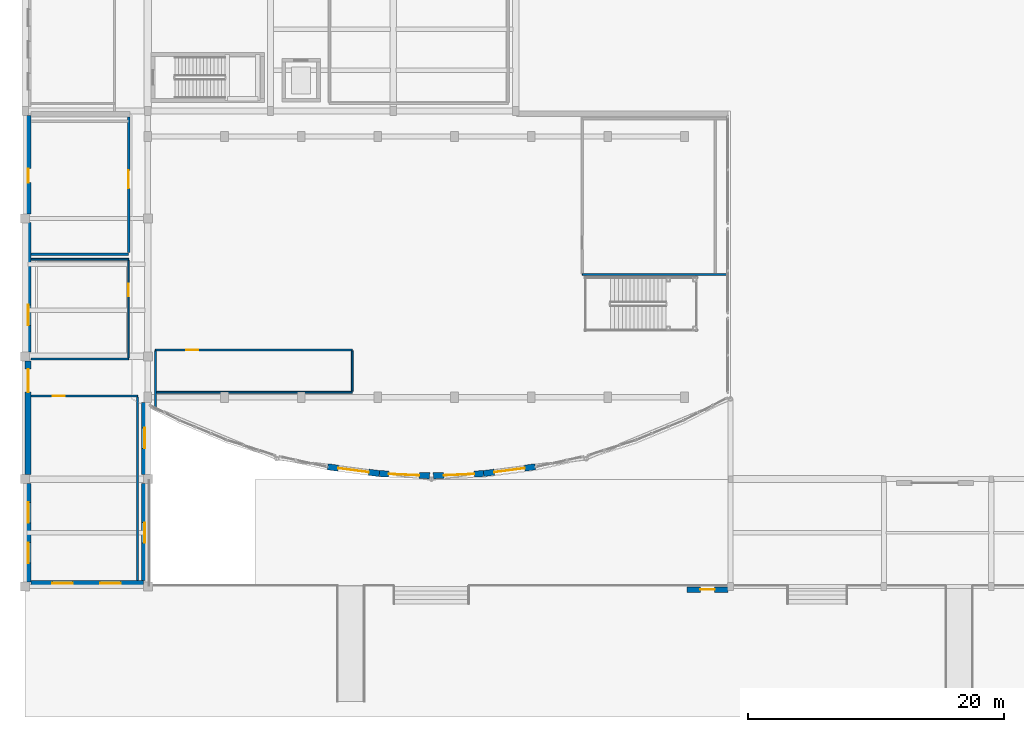
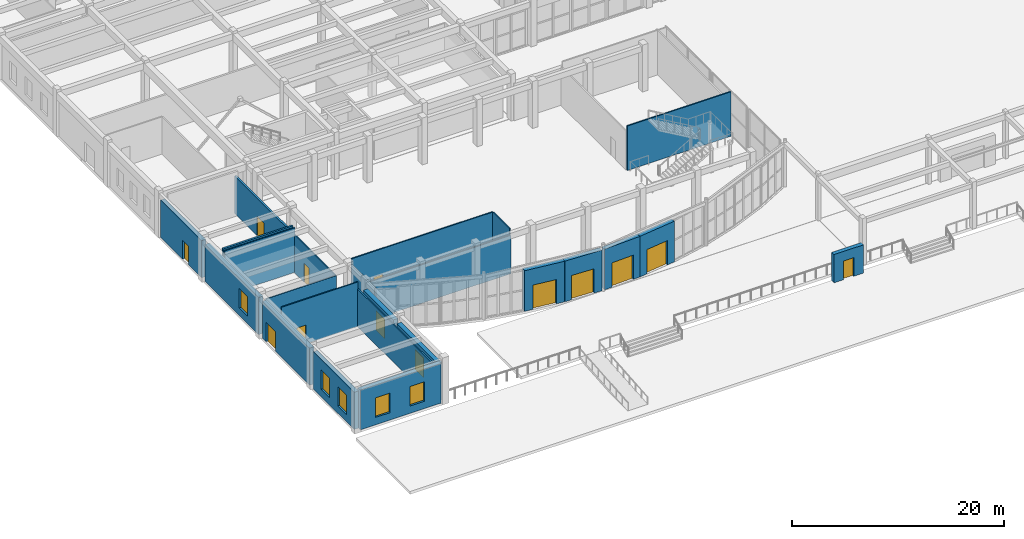
# One storey, part 66 of 98: 24 walls, 11 doors, 7 windows, 18 openings.
"""IFC4 building model written with IfcOpenShell, lengths in metres."""

from ifc_helpers import new_model, si_unit, direction, frame, frame_2d, origin, place, context, subcontext, project, spatial, rectangle, extrude, material, layer, layer_set, type_object, element, fill, save


model = new_model("IFC4")

# Units and contexts
model_context = context("Model", 3, precision=1e-05, world=origin(), true_north=direction((0.0, 1.0)))
body_context = subcontext(model_context, "Body", "Model", "MODEL_VIEW")
ifc_project = project(units=[si_unit("LENGTHUNIT", "METRE"), si_unit("AREAUNIT", "SQUARE_METRE"), si_unit("VOLUMEUNIT", "CUBIC_METRE"), si_unit("PLANEANGLEUNIT", "RADIAN"), si_unit("MASSUNIT", "GRAM", prefix="KILO")], contexts=[model_context])

# Site, building, storey
site_placement = place(None, origin())
site = spatial("IfcSite", under=ifc_project, at=site_placement, CompositionType="ELEMENT")
building_placement = place(site_placement, origin())
building = spatial("IfcBuilding", under=site, at=building_placement, Name="Tarnavel Promenade Courthouse", CompositionType="ELEMENT")
storey_placement = place(building_placement, origin())
storey = spatial("IfcBuildingStorey", under=building, at=storey_placement, Name="L01", CompositionType="ELEMENT", Elevation=0.0)

# Wall
ifc_material_1 = material(Name="Concrete Masonry Fire Compartment Wall", Category="masonry")
ifc_layer_1 = layer(ifc_material_1, 0.205078125)
ifc_layer_set_1 = layer_set([ifc_layer_1], Name="Concrete Masonry Fire Compartment Wall")
wall_type_1 = type_object("IfcWallType", Name="Concrete Masonry Fire Compartment Wall WL-CMP-205 (205 mm)", PredefinedType="STANDARD", material=ifc_layer_set_1)
wall_1_placement = place(storey_placement, frame((8.10009765625, 26.0, 0.0), z_axis=(0.0, 0.0, 1.0), x_axis=(-1.0, 0.0, 0.0)))
element("IfcWall", 1, at=wall_1_placement, inside=storey, type_object=wall_type_1, Name="L01 Fire Command Centre Partition 0149", PredefinedType="STANDARD", context=body_context, shape_type="SweptSolid", body=[
    extrude(rectangle(XDim=7.6259765625, YDim=0.205078125, at=frame_2d((3.81298828125, 0.0))), origin(), (0.0, 0.0, 1.0), 5.125),
])

# Wall, opening, door
wall_2_placement = place(storey_placement, frame((8.10009765625, 36.74609375, 0.0), z_axis=(0.0, 0.0, 1.0), x_axis=(0.0, -1.0, 0.0)))
wall_2 = element("IfcWall", 2, at=wall_2_placement, inside=storey, type_object=wall_type_1, Name="L01 Fire Command Centre Partition 0150", PredefinedType="STANDARD", context=body_context, shape_type="SweptSolid", body=[
    extrude(rectangle(XDim=10.633544921875, YDim=0.205078125, at=frame_2d((5.31689453125, 0.0))), origin(), (0.0, 0.0, 1.0), 4.330078125),
])
opening_1_placement = place(wall_2_placement, frame((4.190185546875, 0.0, 0.0)))
opening_1 = element("IfcOpeningElement", 3, at=opening_1_placement, cuts=wall_2, Name="Opening FD-04", PredefinedType="OPENING", context=body_context, shape_type="SweptSolid", body=[
    extrude(rectangle(XDim=1.39990234375, YDim=2.25, at=frame_2d((0.699951171875, 1.125))), frame((0.0, 0.112548828125, 0.0), z_axis=(0.0, -1.0, 0.0), x_axis=(1.0, 0.0, 0.0)), (0.0, 0.0, 1.0), 0.22509765625),
])
ifc_material_2 = material(Name="Heavy Steel Plant Room Fire Door", Category="steel")
door_type_1 = type_object("IfcDoorType", Name="Heavy Steel Plant Room Fire Door (DR-PLT-1400x2250)", OperationType="NOTDEFINED", PredefinedType="DOOR", material=ifc_material_2)
door_1_placement = place(opening_1_placement, origin())
door_1 = element("IfcDoor", 4, at=door_1_placement, inside=storey, type_object=door_type_1, Name="L01 Fire Command Centre Door 0043", OperationType="SINGLE_SWING_RIGHT", OverallHeight=2.25, OverallWidth=1.39990234375, PredefinedType="DOOR", context=body_context, shape_type="SweptSolid", body=[
    extrude(rectangle(XDim=1.39990234375, YDim=2.25, at=frame_2d((0.699951171875, 1.125))), frame((0.0, 0.02490234375, 0.0), z_axis=(0.0, -1.0, 0.0), x_axis=(1.0, 0.0, 0.0)), (0.0, 0.0, 1.0), 0.050048828125),
])
fill(opening_1, door_1)

ifc_material_3 = material(Name="Limestone Ashlar Faced Insulated Brick Masonry", Category="masonry")
ifc_layer_2 = layer(ifc_material_3, 0.43994140625)
ifc_layer_set_2 = layer_set([ifc_layer_2], Name="Limestone Ashlar Faced Insulated Brick Masonry")
wall_type_2 = type_object("IfcWallType", Name="Limestone Ashlar Faced Insulated Brick Masonry WL-EXT-440 (440 mm)", PredefinedType="STANDARD", material=ifc_layer_set_2)
wall_3_placement = place(storey_placement, frame((51.800048828125, -0.25, -0.75), z_axis=(0.0, 0.0, 1.0), x_axis=(1.0, 0.0, 0.0)))
wall_3 = element("IfcWall", 5, at=wall_3_placement, inside=storey, type_object=wall_type_2, Name="L01 Promenade Plinth Garden Service Wall 0014", PredefinedType="STANDARD", context=body_context, shape_type="SweptSolid", body=[
    extrude(rectangle(XDim=3.199951171875, YDim=0.43994140625, at=frame_2d((1.60009765625, 0.0))), origin(), (0.0, 0.0, 1.0), 3.25),
])
opening_2_placement = place(wall_3_placement, frame((1.050048828125, 0.0, 0.0)))
opening_2 = element("IfcOpeningElement", 6, at=opening_2_placement, cuts=wall_3, Name="Opening ED-04", PredefinedType="OPENING", context=body_context, shape_type="SweptSolid", body=[
    extrude(rectangle(XDim=1.10009765625, YDim=2.14990234375, at=frame_2d((0.550048828125, 1.074951171875))), frame((0.0, 0.22998046875, 0.0), z_axis=(0.0, -1.0, 0.0), x_axis=(1.0, 0.0, 0.0)), (0.0, 0.0, 1.0), 0.4599609375),
])
ifc_material_4 = material(Name="Insulated Steel Fire Command Exit Door", Category="steel")
door_type_2 = type_object("IfcDoorType", Name="Insulated Steel Fire Command Exit Door (ED-FCC-1100x2150)", OperationType="NOTDEFINED", PredefinedType="DOOR", material=ifc_material_4)
door_2_placement = place(opening_2_placement, origin())
door_2 = element("IfcDoor", 7, at=door_2_placement, inside=storey, type_object=door_type_2, Name="Promenade Plinth Forecourt Access Door", OperationType="SINGLE_SWING_RIGHT", OverallHeight=2.14990234375, OverallWidth=1.10009765625, PredefinedType="DOOR", context=body_context, shape_type="SweptSolid", body=[
    extrude(rectangle(XDim=1.10009765625, YDim=2.14990234375, at=frame_2d((0.550048828125, 1.074951171875))), frame((0.0, 0.02490234375, 0.0), z_axis=(0.0, -1.0, 0.0), x_axis=(1.0, 0.0, 0.0)), (0.0, 0.0, 1.0), 0.050048828125),
])
fill(opening_2, door_2)

ifc_layer_3 = layer(ifc_material_3, 0.47998046875)
ifc_layer_set_3 = layer_set([ifc_layer_3], Name="Limestone Ashlar Faced Insulated Brick Masonry")
wall_type_3 = type_object("IfcWallType", Name="Limestone Ashlar Faced Insulated Brick Masonry WL-EXT-480 (480 mm)", PredefinedType="STANDARD", material=ifc_layer_set_3)
wall_4_placement = place(storey_placement, frame((23.67333984375, 9.361083984375, 0.0), z_axis=(0.0, 0.0, 1.0), x_axis=(0.991443301325, -0.130538041423, 0.0)))
wall_4 = element("IfcWall", 8, at=wall_4_placement, inside=storey, type_object=wall_type_3, Name="L01 Tac Kapi Portal Arch Wall 0015", PredefinedType="STANDARD", context=body_context, shape_type="SweptSolid", body=[
    extrude(rectangle(XDim=4.082763671875, YDim=0.47998046875, at=frame_2d((2.04150390625, 0.0))), origin(), (0.0, 0.0, 1.0), 4.679931640625),
])
opening_3_placement = place(wall_4_placement, frame((0.84130859375, 0.0, 0.0)))
opening_3 = element("IfcOpeningElement", 9, at=opening_3_placement, cuts=wall_4, Name="Opening ED-01", PredefinedType="OPENING", context=body_context, shape_type="SweptSolid", body=[
    extrude(rectangle(XDim=2.39990234375, YDim=2.800048828125, at=frame_2d((1.199951171875, 1.39990234375))), frame((0.0, 0.25, 0.0), z_axis=(0.0, -1.0, 0.0), x_axis=(1.0, 0.0, 0.0)), (0.0, 0.0, 1.0), 0.5),
])
ifc_material_5 = material(Name="Bronze-Clad Insulated Civic Portal Double Door")
door_type_3 = type_object("IfcDoorType", Name="Bronze-Clad Insulated Civic Portal Double Door (ED-PORTAL-2400x2800)", OperationType="NOTDEFINED", PredefinedType="DOOR", material=ifc_material_5)
door_3_placement = place(opening_3_placement, origin())
door_3 = element("IfcDoor", 10, at=door_3_placement, inside=storey, type_object=door_type_3, Name="Tac Kapi Main Civic Portal Door 4", OperationType="DOUBLE_DOOR_SINGLE_SWING", OverallHeight=2.800048828125, OverallWidth=2.39990234375, PredefinedType="DOOR", context=body_context, shape_type="SweptSolid", body=[
    extrude(rectangle(XDim=2.39990234375, YDim=2.800048828125, at=frame_2d((1.199951171875, 1.39990234375))), frame((0.0, 0.02490234375, 0.0), z_axis=(0.0, -1.0, 0.0), x_axis=(1.0, 0.0, 0.0)), (0.0, 0.0, 1.0), 0.050048828125),
])
fill(opening_3, door_3)

wall_5_placement = place(storey_placement, frame((27.72119140625, 8.828125, 0.0), z_axis=(0.0, 0.0, 1.0), x_axis=(0.999047956169, -0.043625465894, 0.0)))
wall_5 = element("IfcWall", 11, at=wall_5_placement, inside=storey, type_object=wall_type_3, Name="L01 Tac Kapi Portal Arch Wall 0016", PredefinedType="STANDARD", context=body_context, shape_type="SweptSolid", body=[
    extrude(rectangle(XDim=3.939697265625, YDim=0.47998046875, at=frame_2d((1.9697265625, 0.0))), origin(), (0.0, 0.0, 1.0), 4.679931640625),
])
opening_4_placement = place(wall_5_placement, frame((0.725830078125, 0.0, 0.0)))
opening_4 = element("IfcOpeningElement", 12, at=opening_4_placement, cuts=wall_5, Name="Opening ED-01", PredefinedType="OPENING", context=body_context, shape_type="SweptSolid", body=[
    extrude(rectangle(XDim=2.39990234375, YDim=2.800048828125, at=frame_2d((1.199951171875, 1.39990234375))), frame((0.0, 0.25, 0.0), z_axis=(0.0, -1.0, 0.0), x_axis=(1.0, 0.0, 0.0)), (0.0, 0.0, 1.0), 0.5),
])
door_4_placement = place(opening_4_placement, origin())
door_4 = element("IfcDoor", 13, at=door_4_placement, inside=storey, type_object=door_type_3, Name="Tac Kapi Main Civic Portal Door 5", OperationType="DOUBLE_DOOR_SINGLE_SWING", OverallHeight=2.800048828125, OverallWidth=2.39990234375, PredefinedType="DOOR", context=body_context, shape_type="SweptSolid", body=[
    extrude(rectangle(XDim=2.39990234375, YDim=2.800048828125, at=frame_2d((1.199951171875, 1.39990234375))), frame((0.0, 0.02490234375, 0.0), z_axis=(0.0, -1.0, 0.0), x_axis=(1.0, 0.0, 0.0)), (0.0, 0.0, 1.0), 0.050048828125),
])
fill(opening_4, door_4)

wall_6_placement = place(storey_placement, frame((31.94287109375, 8.65625, 0.0), z_axis=(0.0, 0.0, 1.0), x_axis=(0.999047956169, 0.043625465894, 0.0)))
wall_6 = element("IfcWall", 14, at=wall_6_placement, inside=storey, type_object=wall_type_3, Name="L01 Tac Kapi Portal Arch Wall 0017", PredefinedType="STANDARD", context=body_context, shape_type="SweptSolid", body=[
    extrude(rectangle(XDim=3.939697265625, YDim=0.47998046875, at=frame_2d((1.9697265625, 0.0))), origin(), (0.0, 0.0, 1.0), 4.679931640625),
])
opening_5_placement = place(wall_6_placement, frame((0.81396484375, 0.0, 0.0)))
opening_5 = element("IfcOpeningElement", 15, at=opening_5_placement, cuts=wall_6, Name="Opening ED-01", PredefinedType="OPENING", context=body_context, shape_type="SweptSolid", body=[
    extrude(rectangle(XDim=2.39990234375, YDim=2.800048828125, at=frame_2d((1.199951171875, 1.39990234375))), frame((0.0, 0.25, 0.0), z_axis=(0.0, -1.0, 0.0), x_axis=(1.0, 0.0, 0.0)), (0.0, 0.0, 1.0), 0.5),
])
door_5_placement = place(opening_5_placement, origin())
door_5 = element("IfcDoor", 16, at=door_5_placement, inside=storey, type_object=door_type_3, Name="Tac Kapi Main Civic Portal Door 6", OperationType="DOUBLE_DOOR_SINGLE_SWING", OverallHeight=2.800048828125, OverallWidth=2.39990234375, PredefinedType="DOOR", context=body_context, shape_type="SweptSolid", body=[
    extrude(rectangle(XDim=2.39990234375, YDim=2.800048828125, at=frame_2d((1.199951171875, 1.39990234375))), frame((0.0, 0.02490234375, 0.0), z_axis=(0.0, -1.0, 0.0), x_axis=(1.0, 0.0, 0.0)), (0.0, 0.0, 1.0), 0.050048828125),
])
fill(opening_5, door_5)

wall_7_placement = place(storey_placement, frame((35.87890625, 8.828125, 0.0), z_axis=(0.0, 0.0, 1.0), x_axis=(0.991443301325, 0.130538041423, 0.0)))
wall_7 = element("IfcWall", 17, at=wall_7_placement, inside=storey, type_object=wall_type_3, Name="L01 Tac Kapi Portal Arch Wall 0018", PredefinedType="STANDARD", context=body_context, shape_type="SweptSolid", body=[
    extrude(rectangle(XDim=4.082763671875, YDim=0.47998046875, at=frame_2d((2.04150390625, 0.0))), origin(), (0.0, 0.0, 1.0), 4.679931640625),
])
opening_6_placement = place(wall_7_placement, frame((0.84130859375, 0.0, 0.0)))
opening_6 = element("IfcOpeningElement", 18, at=opening_6_placement, cuts=wall_7, Name="Opening ED-01", PredefinedType="OPENING", context=body_context, shape_type="SweptSolid", body=[
    extrude(rectangle(XDim=2.39990234375, YDim=2.800048828125, at=frame_2d((1.199951171875, 1.39990234375))), frame((0.0, 0.25, 0.0), z_axis=(0.0, -1.0, 0.0), x_axis=(1.0, 0.0, 0.0)), (0.0, 0.0, 1.0), 0.5),
])
door_6_placement = place(opening_6_placement, origin())
door_6 = element("IfcDoor", 19, at=door_6_placement, inside=storey, type_object=door_type_3, Name="Tac Kapi Main Civic Portal Door 7", OperationType="DOUBLE_DOOR_SINGLE_SWING", OverallHeight=2.800048828125, OverallWidth=2.39990234375, PredefinedType="DOOR", context=body_context, shape_type="SweptSolid", body=[
    extrude(rectangle(XDim=2.39990234375, YDim=2.800048828125, at=frame_2d((1.199951171875, 1.39990234375))), frame((0.0, 0.02490234375, 0.0), z_axis=(0.0, -1.0, 0.0), x_axis=(1.0, 0.0, 0.0)), (0.0, 0.0, 1.0), 0.050048828125),
])
fill(opening_6, door_6)

# Wall, openings, windows
wall_8_placement = place(storey_placement, frame((0.239990234375, 0.342041015625, 0.0), z_axis=(0.0, 0.0, 1.0), x_axis=(0.0, 1.0, 0.0)))
wall_8 = element("IfcWall", 20, at=wall_8_placement, inside=storey, type_object=wall_type_3, Name="L01 Portal Pavilion West Stone Wall 0357", PredefinedType="STANDARD", context=body_context, shape_type="SweptSolid", body=[
    extrude(rectangle(XDim=7.716064453125, YDim=0.47998046875, at=frame_2d((3.85791015625, 0.0))), origin(), (0.0, 0.0, 1.0), 4.280029296875),
])
opening_7_placement = place(wall_8_placement, frame((1.48291015625, 0.0, 0.85009765625)))
opening_7 = element("IfcOpeningElement", 21, at=opening_7_placement, cuts=wall_8, Name="Opening W-10", PredefinedType="OPENING", context=body_context, shape_type="SweptSolid", body=[
    extrude(rectangle(XDim=1.60009765625, YDim=2.25, at=frame_2d((0.800048828125, 1.125))), frame((0.0, 0.25, 0.0), z_axis=(0.0, -1.0, 0.0), x_axis=(1.0, 0.0, 0.0)), (0.0, 0.0, 1.0), 0.5),
])
opening_8_placement = place(wall_8_placement, frame((4.633056640625, 0.0, 0.85009765625)))
opening_8 = element("IfcOpeningElement", 22, at=opening_8_placement, cuts=wall_8, Name="Opening W-10", PredefinedType="OPENING", context=body_context, shape_type="SweptSolid", body=[
    extrude(rectangle(XDim=1.60009765625, YDim=2.25, at=frame_2d((0.800048828125, 1.125))), frame((0.0, 0.25, 0.0), z_axis=(0.0, -1.0, 0.0), x_axis=(1.0, 0.0, 0.0)), (0.0, 0.0, 1.0), 0.5),
])
ifc_material_6 = material(Name="Triple Low-E Glazed Bronze-Clad Window Assembly")
window_type = type_object("IfcWindowType", Name="Triple-Glazed Bronze-Clad Timber-Aluminium WIN-PAV-1600x2250", PartitioningType="SINGLE_PANEL", PredefinedType="WINDOW", material=ifc_material_6)
window_1_placement = place(opening_7_placement, origin())
window_1 = element("IfcWindow", 23, at=window_1_placement, inside=storey, type_object=window_type, Name="L01 Exterior Window 0431", OverallHeight=2.25, OverallWidth=1.60009765625, PartitioningType="SINGLE_PANEL", PredefinedType="WINDOW", context=body_context, shape_type="SweptSolid", body=[
    extrude(rectangle(XDim=1.60009765625, YDim=2.25, at=frame_2d((0.800048828125, 1.125))), frame((0.0, 0.030029296875, 0.0), z_axis=(0.0, -1.0, 0.0), x_axis=(1.0, 0.0, 0.0)), (0.0, 0.0, 1.0), 0.06005859375),
])
fill(opening_7, window_1)
window_2_placement = place(opening_8_placement, origin())
window_2 = element("IfcWindow", 24, at=window_2_placement, inside=storey, type_object=window_type, Name="L01 Exterior Window 0432", OverallHeight=2.25, OverallWidth=1.60009765625, PartitioningType="SINGLE_PANEL", PredefinedType="WINDOW", context=body_context, shape_type="SweptSolid", body=[
    extrude(rectangle(XDim=1.60009765625, YDim=2.25, at=frame_2d((0.800048828125, 1.125))), frame((0.0, 0.030029296875, 0.0), z_axis=(0.0, -1.0, 0.0), x_axis=(1.0, 0.0, 0.0)), (0.0, 0.0, 1.0), 0.06005859375),
])
fill(opening_8, window_2)

# Wall, opening, door
wall_9_placement = place(storey_placement, frame((0.239990234375, 8.741943359375, 0.0), z_axis=(0.0, 0.0, 1.0), x_axis=(0.0, 1.0, 0.0)))
wall_9 = element("IfcWall", 25, at=wall_9_placement, inside=storey, type_object=wall_type_3, Name="L01 Portal Pavilion West Stone Wall 0358", PredefinedType="STANDARD", context=body_context, shape_type="SweptSolid", body=[
    extrude(rectangle(XDim=8.916015625, YDim=0.47998046875, at=frame_2d((4.4580078125, 0.0))), origin(), (0.0, 0.0, 1.0), 4.280029296875),
])
opening_9_placement = place(wall_9_placement, frame((6.4580078125, 0.0, 0.0)))
opening_9 = element("IfcOpeningElement", 26, at=opening_9_placement, cuts=wall_9, Name="Opening ED-03", PredefinedType="OPENING", context=body_context, shape_type="SweptSolid", body=[
    extrude(rectangle(XDim=1.800048828125, YDim=2.25, at=frame_2d((0.89990234375, 1.125))), frame((0.0, 0.25, 0.0), z_axis=(0.0, -1.0, 0.0), x_axis=(1.0, 0.0, 0.0)), (0.0, 0.0, 1.0), 0.5),
])
ifc_material_7 = material(Name="Insulated Steel Emergency Exit Double Door", Category="steel")
door_type_4 = type_object("IfcDoorType", Name="Insulated Steel Emergency Exit Double Door (ED-EXIT-1800x2250)", OperationType="NOTDEFINED", PredefinedType="DOOR", material=ifc_material_7)
door_7_placement = place(opening_9_placement, origin())
door_7 = element("IfcDoor", 27, at=door_7_placement, inside=storey, type_object=door_type_4, Name="Portal Pavilion West Corridor Exit Discharge Door", OperationType="DOUBLE_DOOR_SINGLE_SWING", OverallHeight=2.25, OverallWidth=1.800048828125, PredefinedType="DOOR", context=body_context, shape_type="SweptSolid", body=[
    extrude(rectangle(XDim=1.800048828125, YDim=2.25, at=frame_2d((0.89990234375, 1.125))), frame((0.0, 0.02490234375, 0.0), z_axis=(0.0, -1.0, 0.0), x_axis=(1.0, 0.0, 0.0)), (0.0, 0.0, 1.0), 0.050048828125),
])
fill(opening_9, door_7)

# Wall, opening, window
wall_10_placement = place(storey_placement, frame((0.239990234375, 18.342041015625, 0.0), z_axis=(0.0, 0.0, 1.0), x_axis=(0.0, 1.0, 0.0)))
wall_10 = element("IfcWall", 28, at=wall_10_placement, inside=storey, type_object=wall_type_3, Name="L01 Portal Pavilion West Stone Wall 0359", PredefinedType="STANDARD", context=body_context, shape_type="SweptSolid", body=[
    extrude(rectangle(XDim=10.115966796875, YDim=0.47998046875, at=frame_2d((5.05810546875, 0.0))), origin(), (0.0, 0.0, 1.0), 4.280029296875),
])
opening_10_placement = place(wall_10_placement, frame((2.0830078125, 0.0, 0.85009765625)))
opening_10 = element("IfcOpeningElement", 29, at=opening_10_placement, cuts=wall_10, Name="Opening W-10", PredefinedType="OPENING", context=body_context, shape_type="SweptSolid", body=[
    extrude(rectangle(XDim=1.60009765625, YDim=2.25, at=frame_2d((0.800048828125, 1.125))), frame((0.0, 0.25, 0.0), z_axis=(0.0, -1.0, 0.0), x_axis=(1.0, 0.0, 0.0)), (0.0, 0.0, 1.0), 0.5),
])
window_3_placement = place(opening_10_placement, origin())
window_3 = element("IfcWindow", 30, at=window_3_placement, inside=storey, type_object=window_type, Name="L01 Exterior Window 0433", OverallHeight=2.25, OverallWidth=1.60009765625, PartitioningType="SINGLE_PANEL", PredefinedType="WINDOW", context=body_context, shape_type="SweptSolid", body=[
    extrude(rectangle(XDim=1.60009765625, YDim=2.25, at=frame_2d((0.800048828125, 1.125))), frame((0.0, 0.030029296875, 0.0), z_axis=(0.0, -1.0, 0.0), x_axis=(1.0, 0.0, 0.0)), (0.0, 0.0, 1.0), 0.06005859375),
])
fill(opening_10, window_3)

# Wall, opening, door
wall_11_placement = place(storey_placement, frame((0.239990234375, 29.14208984375, 0.0), z_axis=(0.0, 0.0, 1.0), x_axis=(0.0, 1.0, 0.0)))
wall_11 = element("IfcWall", 31, at=wall_11_placement, inside=storey, type_object=wall_type_3, Name="L01 Portal Pavilion West Stone Wall 0360", PredefinedType="STANDARD", context=body_context, shape_type="SweptSolid", body=[
    extrude(rectangle(XDim=7.7158203125, YDim=0.47998046875, at=frame_2d((3.85791015625, 0.0))), origin(), (0.0, 0.0, 1.0), 4.280029296875),
])
opening_11_placement = place(wall_11_placement, frame((2.4580078125, 0.0, 0.0)))
opening_11 = element("IfcOpeningElement", 32, at=opening_11_placement, cuts=wall_11, Name="Opening ED-04", PredefinedType="OPENING", context=body_context, shape_type="SweptSolid", body=[
    extrude(rectangle(XDim=1.10009765625, YDim=2.14990234375, at=frame_2d((0.550048828125, 1.074951171875))), frame((0.0, 0.25, 0.0), z_axis=(0.0, -1.0, 0.0), x_axis=(1.0, 0.0, 0.0)), (0.0, 0.0, 1.0), 0.5),
])
door_8_placement = place(opening_11_placement, origin())
door_8 = element("IfcDoor", 33, at=door_8_placement, inside=storey, type_object=door_type_2, Name="Fire Command Centre Exterior Fire-Appliance Door", OperationType="SINGLE_SWING_LEFT", OverallHeight=2.14990234375, OverallWidth=1.10009765625, PredefinedType="DOOR", context=body_context, shape_type="SweptSolid", body=[
    extrude(rectangle(XDim=1.10009765625, YDim=2.14990234375, at=frame_2d((0.550048828125, 1.074951171875))), frame((0.0, 0.02490234375, 0.0), z_axis=(0.0, -1.0, 0.0), x_axis=(1.0, 0.0, 0.0)), (0.0, 0.0, 1.0), 0.050048828125),
])
fill(opening_11, door_8)

# Wall, openings, windows
wall_12_placement = place(storey_placement, frame((9.258056640625, 0.239990234375, 0.0), z_axis=(0.0, 0.0, 1.0), x_axis=(-1.0, 0.0, 0.0)))
wall_12 = element("IfcWall", 34, at=wall_12_placement, inside=storey, type_object=wall_type_3, Name="L01 Portal Pavilion South Stone Wall 0361", PredefinedType="STANDARD", context=body_context, shape_type="SweptSolid", body=[
    extrude(rectangle(XDim=8.7861328125, YDim=0.47998046875, at=frame_2d((4.39306640625, 0.0))), origin(), (0.0, 0.0, 1.0), 4.580078125),
])
opening_12_placement = place(wall_12_placement, frame((1.782958984375, 0.0, 0.85009765625)))
opening_12 = element("IfcOpeningElement", 35, at=opening_12_placement, cuts=wall_12, Name="Opening W-10", PredefinedType="OPENING", context=body_context, shape_type="SweptSolid", body=[
    extrude(rectangle(XDim=1.60009765625, YDim=2.25, at=frame_2d((0.800048828125, 1.125))), frame((0.0, 0.25, 0.0), z_axis=(0.0, -1.0, 0.0), x_axis=(1.0, 0.0, 0.0)), (0.0, 0.0, 1.0), 0.5),
])
opening_13_placement = place(wall_12_placement, frame((5.532958984375, 0.0, 0.85009765625)))
opening_13 = element("IfcOpeningElement", 36, at=opening_13_placement, cuts=wall_12, Name="Opening W-10", PredefinedType="OPENING", context=body_context, shape_type="SweptSolid", body=[
    extrude(rectangle(XDim=1.60009765625, YDim=2.25, at=frame_2d((0.800048828125, 1.125))), frame((0.0, 0.25, 0.0), z_axis=(0.0, -1.0, 0.0), x_axis=(1.0, 0.0, 0.0)), (0.0, 0.0, 1.0), 0.5),
])
window_4_placement = place(opening_12_placement, origin())
window_4 = element("IfcWindow", 37, at=window_4_placement, inside=storey, type_object=window_type, Name="L01 Exterior Window 0434", OverallHeight=2.25, OverallWidth=1.60009765625, PartitioningType="SINGLE_PANEL", PredefinedType="WINDOW", context=body_context, shape_type="SweptSolid", body=[
    extrude(rectangle(XDim=1.60009765625, YDim=2.25, at=frame_2d((0.800048828125, 1.125))), frame((0.0, 0.030029296875, 0.0), z_axis=(0.0, -1.0, 0.0), x_axis=(1.0, 0.0, 0.0)), (0.0, 0.0, 1.0), 0.06005859375),
])
fill(opening_12, window_4)
window_5_placement = place(opening_13_placement, origin())
window_5 = element("IfcWindow", 38, at=window_5_placement, inside=storey, type_object=window_type, Name="L01 Exterior Window 0435", OverallHeight=2.25, OverallWidth=1.60009765625, PartitioningType="SINGLE_PANEL", PredefinedType="WINDOW", context=body_context, shape_type="SweptSolid", body=[
    extrude(rectangle(XDim=1.60009765625, YDim=2.25, at=frame_2d((0.800048828125, 1.125))), frame((0.0, 0.030029296875, 0.0), z_axis=(0.0, -1.0, 0.0), x_axis=(1.0, 0.0, 0.0)), (0.0, 0.0, 1.0), 0.06005859375),
])
fill(opening_13, window_5)

# Wall, opening, window
wall_13_placement = place(storey_placement, frame((9.360107421875, 8.05810546875, 0.0), z_axis=(0.0, 0.0, 1.0), x_axis=(0.0, -1.0, 0.0)))
wall_13 = element("IfcWall", 39, at=wall_13_placement, inside=storey, type_object=wall_type_3, Name="L01 Portal Pavilion East Forecourt Wall 0362", PredefinedType="STANDARD", context=body_context, shape_type="SweptSolid", body=[
    extrude(rectangle(XDim=7.586181640625, YDim=0.47998046875, at=frame_2d((3.79296875, 0.0))), origin(), (0.0, 0.0, 1.0), 4.330078125),
])
opening_14_placement = place(wall_13_placement, frame((3.05810546875, 0.0, 0.85009765625)))
opening_14 = element("IfcOpeningElement", 40, at=opening_14_placement, cuts=wall_13, Name="Opening W-10", PredefinedType="OPENING", context=body_context, shape_type="SweptSolid", body=[
    extrude(rectangle(XDim=1.60009765625, YDim=2.25, at=frame_2d((0.800048828125, 1.125))), frame((0.0, 0.25, 0.0), z_axis=(0.0, -1.0, 0.0), x_axis=(1.0, 0.0, 0.0)), (0.0, 0.0, 1.0), 0.5),
])
window_6_placement = place(opening_14_placement, origin())
window_6 = element("IfcWindow", 41, at=window_6_placement, inside=storey, type_object=window_type, Name="L01 Exterior Window 0436", OverallHeight=2.25, OverallWidth=1.60009765625, PartitioningType="SINGLE_PANEL", PredefinedType="WINDOW", context=body_context, shape_type="SweptSolid", body=[
    extrude(rectangle(XDim=1.60009765625, YDim=2.25, at=frame_2d((0.800048828125, 1.125))), frame((0.0, 0.030029296875, 0.0), z_axis=(0.0, -1.0, 0.0), x_axis=(1.0, 0.0, 0.0)), (0.0, 0.0, 1.0), 0.06005859375),
])
fill(opening_14, window_6)

wall_14_placement = place(storey_placement, frame((9.360107421875, 14.407958984375, 0.0), z_axis=(0.0, 0.0, 1.0), x_axis=(0.0, -1.0, 0.0)))
wall_14 = element("IfcWall", 42, at=wall_14_placement, inside=storey, type_object=wall_type_3, Name="L01 Portal Pavilion East Forecourt Wall 0363", PredefinedType="STANDARD", context=body_context, shape_type="SweptSolid", body=[
    extrude(rectangle(XDim=5.666015625, YDim=0.47998046875, at=frame_2d((2.8330078125, 0.0))), origin(), (0.0, 0.0, 1.0), 4.330078125),
])
opening_15_placement = place(wall_14_placement, frame((2.008056640625, 0.0, 0.85009765625)))
opening_15 = element("IfcOpeningElement", 43, at=opening_15_placement, cuts=wall_14, Name="Opening W-10", PredefinedType="OPENING", context=body_context, shape_type="SweptSolid", body=[
    extrude(rectangle(XDim=1.60009765625, YDim=2.25, at=frame_2d((0.800048828125, 1.125))), frame((0.0, 0.25, 0.0), z_axis=(0.0, -1.0, 0.0), x_axis=(1.0, 0.0, 0.0)), (0.0, 0.0, 1.0), 0.5),
])
window_7_placement = place(opening_15_placement, origin())
window_7 = element("IfcWindow", 44, at=window_7_placement, inside=storey, type_object=window_type, Name="L01 Exterior Window 0437", OverallHeight=2.25, OverallWidth=1.60009765625, PartitioningType="SINGLE_PANEL", PredefinedType="WINDOW", context=body_context, shape_type="SweptSolid", body=[
    extrude(rectangle(XDim=1.60009765625, YDim=2.25, at=frame_2d((0.800048828125, 1.125))), frame((0.0, 0.030029296875, 0.0), z_axis=(0.0, -1.0, 0.0), x_axis=(1.0, 0.0, 0.0)), (0.0, 0.0, 1.0), 0.06005859375),
])
fill(opening_15, window_7)

# Wall, opening, door
ifc_material_8 = material(Name="Metal-Stud Acoustic Gypsum Partition", Category="gypsum")
ifc_layer_4 = layer(ifc_material_8, 0.135009765625)
ifc_layer_set_4 = layer_set([ifc_layer_4], Name="Metal-Stud Acoustic Gypsum Partition")
wall_type_4 = type_object("IfcWallType", Name="Metal-Stud Acoustic Gypsum Partition WL-OFF-135 (135 mm)", PredefinedType="PARTITIONING", material=ifc_layer_set_4)
wall_15_placement = place(storey_placement, frame((0.47412109375, 14.89990234375, 0.0), z_axis=(0.0, 0.0, 1.0), x_axis=(1.0, 0.0, 0.0)))
wall_15 = element("IfcWall", 45, at=wall_15_placement, inside=storey, type_object=wall_type_4, Name="L01 Promenade Public Information and Press Salon Partition 0143", PredefinedType="PARTITIONING", context=body_context, shape_type="SweptSolid", body=[
    extrude(rectangle(XDim=8.325927734375, YDim=0.135009765625, at=frame_2d((4.1630859375, 0.0))), origin(), (0.0, 0.0, 1.0), 5.125),
])
opening_16_placement = place(wall_15_placement, frame((1.685302734375, 0.0, 0.0)))
opening_16 = element("IfcOpeningElement", 46, at=opening_16_placement, cuts=wall_15, Name="Opening ID-06", PredefinedType="OPENING", context=body_context, shape_type="SweptSolid", body=[
    extrude(rectangle(XDim=0.949951171875, YDim=2.14990234375, at=frame_2d((0.47509765625, 1.074951171875))), frame((0.0, 0.077392578125, 0.0), z_axis=(0.0, -1.0, 0.0), x_axis=(1.0, 0.0, 0.0)), (0.0, 0.0, 1.0), 0.155029296875),
])
ifc_material_9 = material(Name="Acoustic Timber Veneer Office Door", Category="wood")
door_type_5 = type_object("IfcDoorType", Name="Acoustic Timber Veneer Office Door (DR-OFF-0950x2150)", OperationType="NOTDEFINED", PredefinedType="DOOR", material=ifc_material_9)
door_9_placement = place(opening_16_placement, origin())
door_9 = element("IfcDoor", 47, at=door_9_placement, inside=storey, type_object=door_type_5, Name="L01 Promenade Public Information and Press Salon Door 0041", OperationType="SINGLE_SWING_RIGHT", OverallHeight=2.14990234375, OverallWidth=0.949951171875, PredefinedType="DOOR", context=body_context, shape_type="SweptSolid", body=[
    extrude(rectangle(XDim=0.949951171875, YDim=2.14990234375, at=frame_2d((0.47509765625, 1.074951171875))), frame((0.0, 0.02490234375, 0.0), z_axis=(0.0, -1.0, 0.0), x_axis=(1.0, 0.0, 0.0)), (0.0, 0.0, 1.0), 0.050048828125),
])
fill(opening_16, door_9)

# Walls
wall_16_placement = place(storey_placement, frame((8.800048828125, 14.822509765625, 0.0), z_axis=(0.0, 0.0, 1.0), x_axis=(0.0, -1.0, 0.0)))
element("IfcWall", 48, at=wall_16_placement, inside=storey, type_object=wall_type_4, Name="L01 Promenade Public Information and Press Salon Partition 0144", PredefinedType="PARTITIONING", context=body_context, shape_type="SweptSolid", body=[
    extrude(rectangle(XDim=14.348388671875, YDim=0.135009765625, at=frame_2d((7.17431640625, 0.0))), origin(), (0.0, 0.0, 1.0), 4.330078125),
])
wall_17_placement = place(storey_placement, frame((0.47412109375, 25.60009765625, 0.0), z_axis=(0.0, 0.0, 1.0), x_axis=(1.0, 0.0, 0.0)))
element("IfcWall", 49, at=wall_17_placement, inside=storey, type_object=wall_type_4, Name="L01 Security Screening and Visitor Reception Partition 0145", PredefinedType="PARTITIONING", context=body_context, shape_type="SweptSolid", body=[
    extrude(rectangle(XDim=7.6259765625, YDim=0.135009765625, at=frame_2d((3.81298828125, 0.0))), origin(), (0.0, 0.0, 1.0), 5.125),
])
wall_18_placement = place(storey_placement, frame((8.10009765625, 17.800048828125, 0.0), z_axis=(0.0, 0.0, 1.0), x_axis=(-1.0, 0.0, 0.0)))
element("IfcWall", 50, at=wall_18_placement, inside=storey, type_object=wall_type_4, Name="L01 Security Screening and Visitor Reception Partition 0146", PredefinedType="PARTITIONING", context=body_context, shape_type="SweptSolid", body=[
    extrude(rectangle(XDim=7.6259765625, YDim=0.135009765625, at=frame_2d((3.81298828125, 0.0))), origin(), (0.0, 0.0, 1.0), 4.330078125),
])

# Wall, opening, door
wall_19_placement = place(storey_placement, frame((8.10009765625, 25.5224609375, 0.0), z_axis=(0.0, 0.0, 1.0), x_axis=(0.0, -1.0, 0.0)))
wall_19 = element("IfcWall", 51, at=wall_19_placement, inside=storey, type_object=wall_type_4, Name="L01 Security Screening and Visitor Reception Partition 0147", PredefinedType="PARTITIONING", context=body_context, shape_type="SweptSolid", body=[
    extrude(rectangle(XDim=7.64501953125, YDim=0.135009765625, at=frame_2d((3.822509765625, 0.0))), origin(), (0.0, 0.0, 1.0), 4.330078125),
])
opening_17_placement = place(wall_19_placement, frame((1.8486328125, 0.0, 0.0)))
opening_17 = element("IfcOpeningElement", 52, at=opening_17_placement, cuts=wall_19, Name="Opening ID-06", PredefinedType="OPENING", context=body_context, shape_type="SweptSolid", body=[
    extrude(rectangle(XDim=0.949951171875, YDim=2.14990234375, at=frame_2d((0.47509765625, 1.074951171875))), frame((0.0, 0.077392578125, 0.0), z_axis=(0.0, -1.0, 0.0), x_axis=(1.0, 0.0, 0.0)), (0.0, 0.0, 1.0), 0.155029296875),
])
door_10_placement = place(opening_17_placement, origin())
door_10 = element("IfcDoor", 53, at=door_10_placement, inside=storey, type_object=door_type_5, Name="L01 Security Screening and Visitor Reception Door 0042", OperationType="SINGLE_SWING_LEFT", OverallHeight=2.14990234375, OverallWidth=0.949951171875, PredefinedType="DOOR", context=body_context, shape_type="SweptSolid", body=[
    extrude(rectangle(XDim=0.949951171875, YDim=2.14990234375, at=frame_2d((0.47509765625, 1.074951171875))), frame((0.0, 0.02490234375, 0.0), z_axis=(0.0, -1.0, 0.0), x_axis=(1.0, 0.0, 0.0)), (0.0, 0.0, 1.0), 0.050048828125),
])
fill(opening_17, door_10)

# Wall
wall_20_placement = place(storey_placement, frame((54.889892578125, 24.39990234375, 0.0), z_axis=(0.0, 0.0, 1.0), x_axis=(-1.0, 0.0, 0.0)))
element("IfcWall", 54, at=wall_20_placement, inside=storey, type_object=wall_type_4, Name="L01 Civil Process Service and Filing Registry Partition 0156", PredefinedType="PARTITIONING", context=body_context, shape_type="SweptSolid", body=[
    extrude(rectangle(XDim=11.289794921875, YDim=0.135009765625, at=frame_2d((5.64501953125, 0.0))), origin(), (0.0, 0.0, 1.0), 5.125),
])

# Wall, opening, door
wall_21_placement = place(storey_placement, frame((10.199951171875, 18.5, 0.0), z_axis=(0.0, 0.0, 1.0), x_axis=(1.0, 0.0, 0.0)))
wall_21 = element("IfcWall", 55, at=wall_21_placement, inside=storey, type_object=wall_type_4, Name="L01 Promenade Public Cloakroom and Security Desk Partition 0163", PredefinedType="PARTITIONING", context=body_context, shape_type="SweptSolid", body=[
    extrude(rectangle(XDim=15.400146484375, YDim=0.135009765625, at=frame_2d((7.7001953125, 0.0))), origin(), (0.0, 0.0, 1.0), 5.125),
])
opening_18_placement = place(wall_21_placement, frame((2.41259765625, 0.0, 0.0)))
opening_18 = element("IfcOpeningElement", 56, at=opening_18_placement, cuts=wall_21, Name="Opening ID-06", PredefinedType="OPENING", context=body_context, shape_type="SweptSolid", body=[
    extrude(rectangle(XDim=0.949951171875, YDim=2.14990234375, at=frame_2d((0.47509765625, 1.074951171875))), frame((0.0, 0.077392578125, 0.0), z_axis=(0.0, -1.0, 0.0), x_axis=(1.0, 0.0, 0.0)), (0.0, 0.0, 1.0), 0.155029296875),
])
door_11_placement = place(opening_18_placement, origin())
door_11 = element("IfcDoor", 57, at=door_11_placement, inside=storey, type_object=door_type_5, Name="L01 Promenade Public Cloakroom and Security Desk Door 0047", OperationType="SINGLE_SWING_RIGHT", OverallHeight=2.14990234375, OverallWidth=0.949951171875, PredefinedType="DOOR", context=body_context, shape_type="SweptSolid", body=[
    extrude(rectangle(XDim=0.949951171875, YDim=2.14990234375, at=frame_2d((0.47509765625, 1.074951171875))), frame((0.0, 0.02490234375, 0.0), z_axis=(0.0, -1.0, 0.0), x_axis=(1.0, 0.0, 0.0)), (0.0, 0.0, 1.0), 0.050048828125),
])
fill(opening_18, door_11)

# Walls
wall_22_placement = place(storey_placement, frame((25.60009765625, 15.199951171875, 0.0), z_axis=(0.0, 0.0, 1.0), x_axis=(-1.0, 0.0, 0.0)))
element("IfcWall", 58, at=wall_22_placement, inside=storey, type_object=wall_type_4, Name="L01 Promenade Public Cloakroom and Security Desk Partition 0164", PredefinedType="PARTITIONING", context=body_context, shape_type="SweptSolid", body=[
    extrude(rectangle(XDim=15.400146484375, YDim=0.135009765625, at=frame_2d((7.7001953125, 0.0))), origin(), (0.0, 0.0, 1.0), 4.429931640625),
])
wall_23_placement = place(storey_placement, frame((10.199951171875, 14.04296875, 0.0), z_axis=(0.0, 0.0, 1.0), x_axis=(0.0, 1.0, 0.0)))
element("IfcWall", 59, at=wall_23_placement, inside=storey, type_object=wall_type_4, Name="L01 Promenade Public Cloakroom and Security Desk Partition 0165", PredefinedType="PARTITIONING", context=body_context, shape_type="SweptSolid", body=[
    extrude(rectangle(XDim=4.379638671875, YDim=0.135009765625, at=frame_2d((2.18994140625, 0.0))), origin(), (0.0, 0.0, 1.0), 4.429931640625),
])
wall_24_placement = place(storey_placement, frame((25.60009765625, 18.422607421875, 0.0), z_axis=(0.0, 0.0, 1.0), x_axis=(0.0, -1.0, 0.0)))
element("IfcWall", 60, at=wall_24_placement, inside=storey, type_object=wall_type_4, Name="L01 Promenade Public Cloakroom and Security Desk Partition 0166", PredefinedType="PARTITIONING", context=body_context, shape_type="SweptSolid", body=[
    extrude(rectangle(XDim=3.14501953125, YDim=0.135009765625, at=frame_2d((1.572509765625, 0.0))), origin(), (0.0, 0.0, 1.0), 5.125),
])

save(model, "model.ifc")
